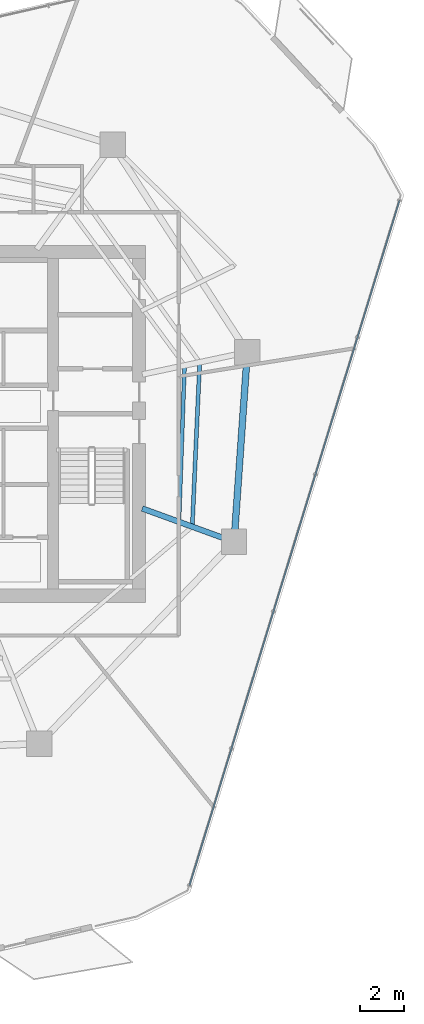
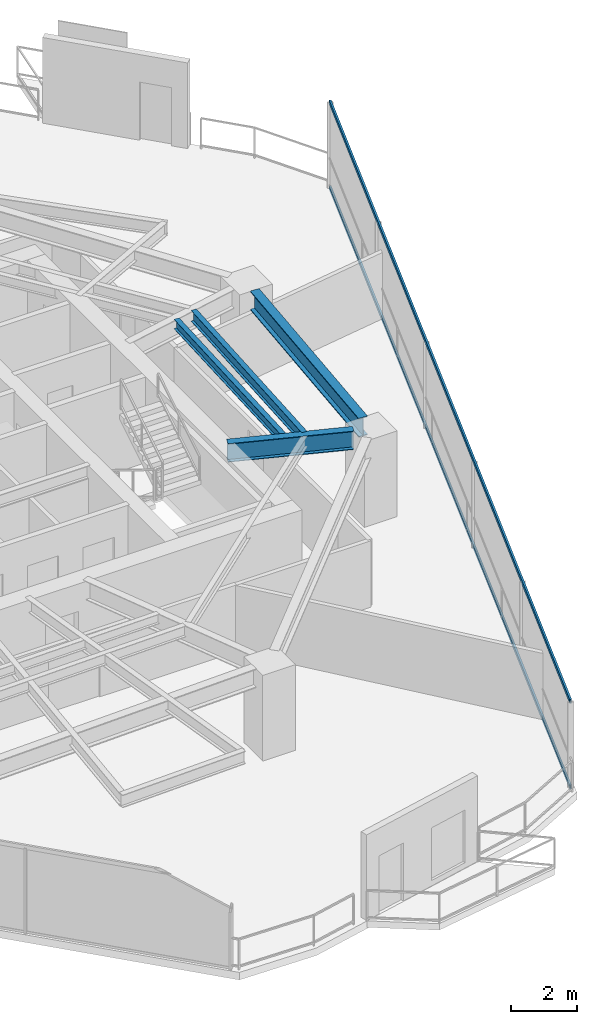
# One storey, part 8 of 23: 4 beams, 2 members, 1 element without a shape of its own.
"""IFC4 building model written with IfcOpenShell, lengths in metres."""

from ifc_helpers import new_model, si_unit, direction, frame, origin, origin_2d, place, context, subcontext, project, spatial, hollow_rectangle, i_section, extrude, material, layer, layer_set, material_profile, profile_set, type_object, element, aggregate, save


model = new_model("IFC4")

# Units and contexts
model_context = context("Model", 3, precision=1e-05, world=origin(), true_north=direction((0.0, 1.0)))
body_context = subcontext(model_context, "Body", "Model", "MODEL_VIEW")
ifc_project = project(units=[si_unit("LENGTHUNIT", "METRE"), si_unit("AREAUNIT", "SQUARE_METRE"), si_unit("VOLUMEUNIT", "CUBIC_METRE"), si_unit("PLANEANGLEUNIT", "RADIAN"), si_unit("MASSUNIT", "GRAM", prefix="KILO")], contexts=[model_context])

# Site, building, storey
site_placement = place(None, origin())
site = spatial("IfcSite", under=ifc_project, at=site_placement, CompositionType="ELEMENT")
building_placement = place(site_placement, origin())
building = spatial("IfcBuilding", under=site, at=building_placement, Name="Qarnah Convention Tower", CompositionType="ELEMENT")
storey_placement = place(building_placement, frame((0.0, 0.0, 114.300048828125)))
storey = spatial("IfcBuildingStorey", under=building, at=storey_placement, Name="L30", CompositionType="ELEMENT", Elevation=114.300048828125)

# Beams
ifc_material_1 = material(Name="Structural steel S355JR", Category="steel")
ifc_material_profile_1 = material_profile(ifc_material_1, i_section(OverallWidth=0.172119140625, OverallDepth=0.35595703125, WebThickness=0.007080078125, FlangeThickness=0.011962890625, at=origin_2d()), Name="W360X51")
ifc_profile_set_1 = profile_set([ifc_material_profile_1], Name="Structural steel S355JR")
beam_type_1 = type_object("IfcBeamType", Name="BM-JST-W360", PredefinedType="JOIST", material=ifc_profile_set_1)
beam_1_placement = place(storey_placement, frame((49.412109375, 22.0458984375, 2.991943359375), z_axis=(0.035540465312, 0.999368238101, 0.0), x_axis=(-0.999368238101, 0.035540465312, 0.0)))
element("IfcBeam", 1, at=beam_1_placement, inside=storey, type_object=beam_type_1, Name="L30 joist BM-L30-IJST-09", PredefinedType="JOIST", context=body_context, shape_type="SweptSolid", body=[
    extrude(i_section(OverallWidth=0.172119140625, OverallDepth=0.35595703125, WebThickness=0.007080078125, FlangeThickness=0.011962890625, at=origin_2d()), origin(), (0.0, 0.0, 1.0), 6.91748046875),
])
ifc_material_profile_2 = material_profile(ifc_material_1, i_section(OverallWidth=0.177978515625, OverallDepth=0.407958984375, WebThickness=0.008056640625, FlangeThickness=0.012939453125, at=origin_2d()), Name="W410X60")
ifc_profile_set_2 = profile_set([ifc_material_profile_2], Name="Structural steel S355JR")
beam_type_2 = type_object("IfcBeamType", Name="BM-JST-W410", PredefinedType="JOIST", material=ifc_profile_set_2)
beam_2_placement = place(storey_placement, frame((50.014892578125, 21.825927734375, 2.966064453125), z_axis=(0.045166002341, 0.998979495401, 0.0), x_axis=(-0.998979495401, 0.045166002341, 0.0)))
element("IfcBeam", 2, at=beam_2_placement, inside=storey, type_object=beam_type_2, Name="L30 joist BM-L30-SJST-09", PredefinedType="JOIST", context=body_context, shape_type="SweptSolid", body=[
    extrude(i_section(OverallWidth=0.177978515625, OverallDepth=0.407958984375, WebThickness=0.008056640625, FlangeThickness=0.012939453125, at=origin_2d()), origin(), (0.0, 0.0, 1.0), 7.286376953125),
])
ifc_material_profile_3 = material_profile(ifc_material_1, i_section(OverallWidth=0.25390625, OverallDepth=0.68798828125, WebThickness=0.012939453125, FlangeThickness=0.02099609375, at=origin_2d()), Name="W690X152")
ifc_profile_set_3 = profile_set([ifc_material_profile_3], Name="Structural steel S355JR")
beam_type_3 = type_object("IfcBeamType", Name="BM-RAD-W690", PredefinedType="BEAM", material=ifc_profile_set_3)
beam_3_placement = place(storey_placement, frame((47.740966796875, 22.56298828125, 2.825927734375), z_axis=(0.93969593668, -0.342011032845, 0.0), x_axis=(0.342011032845, 0.93969593668, 0.0)))
element("IfcBeam", 3, at=beam_3_placement, inside=storey, type_object=beam_type_3, Name="L30 beam BM-L30-RAD-09", PredefinedType="BEAM", context=body_context, shape_type="SweptSolid", body=[
    extrude(i_section(OverallWidth=0.25390625, OverallDepth=0.68798828125, WebThickness=0.012939453125, FlangeThickness=0.02099609375, at=origin_2d()), origin(), (0.0, 0.0, 1.0), 3.876953125),
])
ifc_material_profile_4 = material_profile(ifc_material_1, i_section(OverallWidth=0.300048828125, OverallDepth=0.699951171875, WebThickness=0.01708984375, FlangeThickness=0.031982421875, at=origin_2d()), Name="HEB700")
ifc_profile_set_4 = profile_set([ifc_material_profile_4], Name="Structural steel S355JR")
beam_type_4 = type_object("IfcBeamType", Name="BM-RING-HEB700", PredefinedType="BEAM", material=ifc_profile_set_4)
beam_4_placement = place(storey_placement, frame((51.945068359375, 21.611083984375, 2.820068359375), z_axis=(0.069881623509, 0.997555291047, 0.0), x_axis=(-0.997555291047, 0.069881623509, 0.0)))
element("IfcBeam", 4, at=beam_4_placement, inside=storey, type_object=beam_type_4, Name="L30 beam BM-L30-SPN-09", PredefinedType="BEAM", context=body_context, shape_type="SweptSolid", body=[
    extrude(i_section(OverallWidth=0.300048828125, OverallDepth=0.699951171875, WebThickness=0.01708984375, FlangeThickness=0.031982421875, at=origin_2d()), origin(), (0.0, 0.0, 1.0), 7.497314453125),
])

# Curtain wall, members
ifc_material_2 = material(Name="Tempered Low-E dark glass", Category="glass")
ifc_layer = layer(ifc_material_2, 0.169921875)
ifc_layer_set = layer_set([ifc_layer], Name="Tempered Low-E dark glass")
curtain_wall_type = type_object("IfcCurtainWallType", Name="CWS-02", PredefinedType="NOTDEFINED", material=ifc_layer_set)
curtain_wall_placement = place(storey_placement, origin())
curtain_wall = element("IfcCurtainWall", 5, at=curtain_wall_placement, inside=storey, type_object=curtain_wall_type, Name="L30 unitised curtain wall CW-L30-F2", PredefinedType="NOTDEFINED")
ifc_material_3 = material(Name="Black anodised aluminium", Category="aluminium")
ifc_material_profile_5 = material_profile(ifc_material_3, hollow_rectangle(XDim=0.06494140625, YDim=0.14990234375, WallThickness=0.00390625, at=origin_2d()), Name="TRN-65X150")
ifc_profile_set_5 = profile_set([ifc_material_profile_5], Name="Black anodised aluminium")
member_type = type_object("IfcMemberType", Name="TRN-T2", PredefinedType="USERDEFINED", material=ifc_profile_set_5)
member_1_placement = place(storey_placement, frame((59.410888671875, 36.5380859375, 0.0), z_axis=(-0.293041871604, -0.956099608559, 0.0), x_axis=(0.956099608559, -0.293041871604, 0.0)))
member_1 = element("IfcMember", 6, at=member_1_placement, type_object=member_type, Name="CW-L30-F2 transom 1", ObjectType="TRANSOM", PredefinedType="USERDEFINED", context=body_context, shape_type="SweptSolid", body=[
    extrude(hollow_rectangle(XDim=0.06494140625, YDim=0.14990234375, WallThickness=0.00390625, at=origin_2d()), origin(), (0.0, 0.0, 1.0), 32.51025390625),
])
member_2_placement = place(storey_placement, frame((59.410888671875, 36.5380859375, 3.169921875), z_axis=(-0.293041871604, -0.956099608559, 0.0), x_axis=(0.956099608559, -0.293041871604, 0.0)))
member_2 = element("IfcMember", 7, at=member_2_placement, type_object=member_type, Name="CW-L30-F2 transom 2", ObjectType="TRANSOM", PredefinedType="USERDEFINED", context=body_context, shape_type="SweptSolid", body=[
    extrude(hollow_rectangle(XDim=0.06494140625, YDim=0.14990234375, WallThickness=0.00390625, at=origin_2d()), origin(), (0.0, 0.0, 1.0), 32.51025390625),
])
aggregate(curtain_wall, [member_1, member_2])

save(model, "model.ifc")
